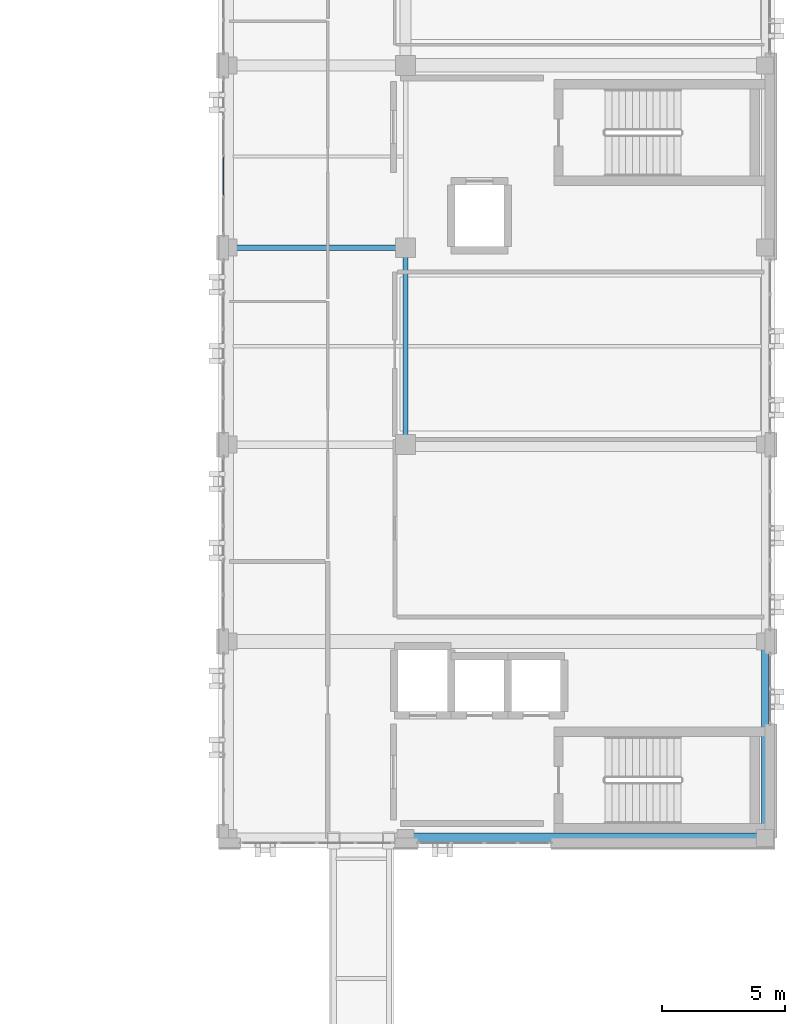
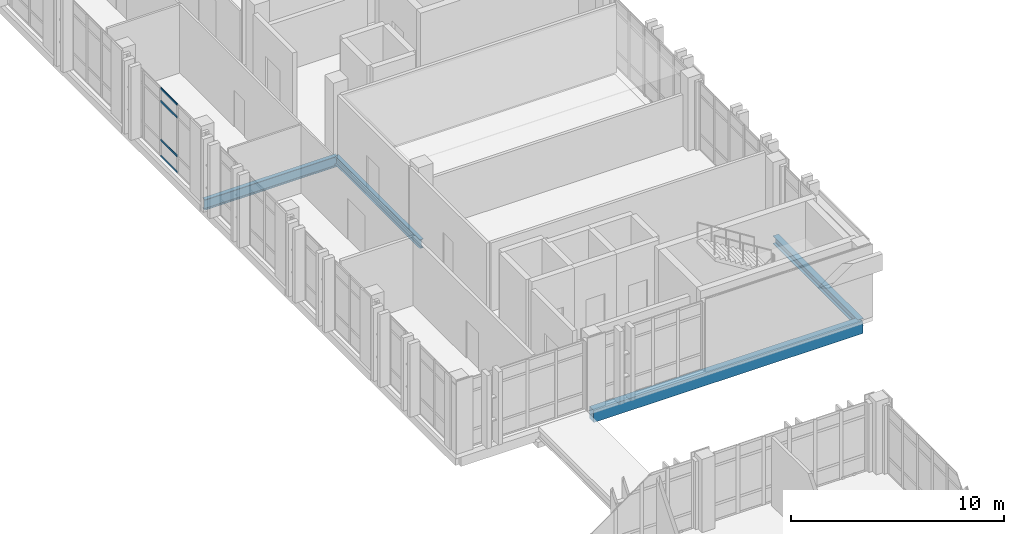
# One storey, part 58 of 158: 4 beams, 4 members, 1 element without a shape of its own.
"""IFC4 building model written with IfcOpenShell, lengths in metres."""

from ifc_helpers import new_model, si_unit, direction, frame, origin, origin_2d, place, context, subcontext, project, spatial, rectangle, hollow_rectangle, i_section, extrude, material, layer, layer_set, material_profile, profile_set, type_object, element, aggregate, save


model = new_model("IFC4")

# Units and contexts
model_context = context("Model", 3, precision=1e-05, world=origin(), true_north=direction((0.0, 1.0)))
body_context = subcontext(model_context, "Body", "Model", "MODEL_VIEW")
ifc_project = project(units=[si_unit("LENGTHUNIT", "METRE"), si_unit("AREAUNIT", "SQUARE_METRE"), si_unit("VOLUMEUNIT", "CUBIC_METRE"), si_unit("PLANEANGLEUNIT", "RADIAN"), si_unit("MASSUNIT", "GRAM", prefix="KILO")], contexts=[model_context])

# Site, building, storey
site_placement = place(None, origin())
site = spatial("IfcSite", under=ifc_project, at=site_placement, CompositionType="ELEMENT")
building_placement = place(site_placement, origin())
building = spatial("IfcBuilding", under=site, at=building_placement, Name="Qalavern Law Courts", CompositionType="ELEMENT")
storey_placement = place(building_placement, frame((0.0, 0.0, 18.60009765625)))
storey = spatial("IfcBuildingStorey", under=building, at=storey_placement, Name="L04", CompositionType="ELEMENT", Elevation=18.60009765625)

# Curtain wall, members
ifc_material_1 = material(Name="Anodised aluminium and insulated glazing", Category="aluminium")
ifc_layer = layer(ifc_material_1, 0.159912109375)
ifc_layer_set = layer_set([ifc_layer], Name="Anodised aluminium and insulated glazing")
curtain_wall_type = type_object("IfcCurtainWallType", Name="ENV-CW-CHAMB", PredefinedType="USERDEFINED", material=ifc_layer_set)
curtain_wall_placement = place(storey_placement, origin())
curtain_wall = element("IfcCurtainWall", 1, at=curtain_wall_placement, inside=storey, type_object=curtain_wall_type, Name="V4 unitised curtain wall L04 west 3", ObjectType="UNITISED CURTAIN WALL", PredefinedType="USERDEFINED")
ifc_material_2 = material(Name="Anodised aluminium", Category="aluminium")
ifc_material_profile_1 = material_profile(ifc_material_2, hollow_rectangle(XDim=0.048095703125, YDim=0.1201171875, WallThickness=0.00390625, at=origin_2d()), Name="ALU TRANSOM 48x120")
ifc_profile_set_1 = profile_set([ifc_material_profile_1], Name="Anodised aluminium")
member_type = type_object("IfcMemberType", Name="ENV-CWT-48x120", PredefinedType="USERDEFINED", material=ifc_profile_set_1)
member_1_placement = place(storey_placement, frame((84.39990234375, 69.075927734375, 0.02392578125), z_axis=(0.0, -1.0, 0.0), x_axis=(1.0, 0.0, 0.0)))
member_1 = element("IfcMember", 2, at=member_1_placement, type_object=member_type, Name="CW-04 transom 3.1", ObjectType="TRANSOM", PredefinedType="USERDEFINED", context=body_context, shape_type="SweptSolid", body=[
    extrude(hollow_rectangle(XDim=0.048095703125, YDim=0.1201171875, WallThickness=0.00390625, at=origin_2d()), origin(), (0.0, 0.0, 1.0), 1.552001953125),
])
member_2_placement = place(storey_placement, frame((84.39990234375, 69.075927734375, 0.949951171875), z_axis=(0.0, -1.0, 0.0), x_axis=(1.0, 0.0, 0.0)))
member_2 = element("IfcMember", 3, at=member_2_placement, type_object=member_type, Name="CW-04 transom 3.2", ObjectType="TRANSOM", PredefinedType="USERDEFINED", context=body_context, shape_type="SweptSolid", body=[
    extrude(hollow_rectangle(XDim=0.048095703125, YDim=0.1201171875, WallThickness=0.00390625, at=origin_2d()), origin(), (0.0, 0.0, 1.0), 1.552001953125),
])
member_3_placement = place(storey_placement, frame((84.39990234375, 69.075927734375, 3.1748046875), z_axis=(0.0, -1.0, 0.0), x_axis=(1.0, 0.0, 0.0)))
member_3 = element("IfcMember", 4, at=member_3_placement, type_object=member_type, Name="CW-04 transom 3.3", ObjectType="TRANSOM", PredefinedType="USERDEFINED", context=body_context, shape_type="SweptSolid", body=[
    extrude(hollow_rectangle(XDim=0.048095703125, YDim=0.1201171875, WallThickness=0.00390625, at=origin_2d()), origin(), (0.0, 0.0, 1.0), 1.552001953125),
])
member_4_placement = place(storey_placement, frame((84.39990234375, 69.075927734375, 3.90087890625), z_axis=(0.0, -1.0, 0.0), x_axis=(1.0, 0.0, 0.0)))
member_4 = element("IfcMember", 5, at=member_4_placement, type_object=member_type, Name="CW-04 transom 3.4", ObjectType="TRANSOM", PredefinedType="USERDEFINED", context=body_context, shape_type="SweptSolid", body=[
    extrude(hollow_rectangle(XDim=0.048095703125, YDim=0.1201171875, WallThickness=0.00390625, at=origin_2d()), origin(), (0.0, 0.0, 1.0), 1.552001953125),
])
aggregate(curtain_wall, [member_1, member_2, member_3, member_4])

# Beams
ifc_material_3 = material(Name="Steel S355", Category="steel")
ifc_material_profile_2 = material_profile(ifc_material_3, i_section(OverallWidth=0.199951171875, OverallDepth=0.5, WebThickness=0.01025390625, FlangeThickness=0.01611328125, FilletRadius=0.02099609375, at=origin_2d()), Name="IPE 500")
ifc_profile_set_2 = profile_set([ifc_material_profile_2], Name="Steel S355")
beam_type_1 = type_object("IfcBeamType", Name="STR-BM-IPE500", PredefinedType="BEAM", material=ifc_profile_set_2)
beam_1_placement = place(storey_placement, frame((91.800048828125, 57.39990234375, -0.530029296875), z_axis=(0.0, 1.0, 0.0), x_axis=(-1.0, 0.0, 0.0)))
element("IfcBeam", 6, at=beam_1_placement, inside=storey, type_object=beam_type_1, Name="V4 Y-beam 2-2 L04", PredefinedType="BEAM", context=body_context, shape_type="SweptSolid", body=[
    extrude(i_section(OverallWidth=0.199951171875, OverallDepth=0.5, WebThickness=0.01025390625, FlangeThickness=0.01611328125, FilletRadius=0.02099609375, at=origin_2d()), origin(), (0.0, 0.0, 1.0), 8.0),
])
ifc_material_profile_3 = material_profile(ifc_material_3, i_section(OverallWidth=0.219970703125, OverallDepth=0.60009765625, WebThickness=0.011962890625, FlangeThickness=0.01904296875, FilletRadius=0.02392578125, at=origin_2d()), Name="IPE 600")
ifc_profile_set_3 = profile_set([ifc_material_profile_3], Name="Steel S355")
beam_type_2 = type_object("IfcBeamType", Name="STR-BM-IPE600", PredefinedType="BEAM", material=ifc_profile_set_3)
beam_2_placement = place(storey_placement, frame((84.60009765625, 65.39990234375, -0.580078125), z_axis=(1.0, 0.0, 0.0), x_axis=(0.0, 1.0, 0.0)))
element("IfcBeam", 7, at=beam_2_placement, inside=storey, type_object=beam_type_2, Name="V4 X-beam 4-1 L04", PredefinedType="BEAM", context=body_context, shape_type="SweptSolid", body=[
    extrude(i_section(OverallWidth=0.219970703125, OverallDepth=0.60009765625, WebThickness=0.011962890625, FlangeThickness=0.01904296875, FilletRadius=0.02392578125, at=origin_2d()), origin(), (0.0, 0.0, 1.0), 7.199951171875),
])
ifc_material_profile_4 = material_profile(ifc_material_3, i_section(OverallWidth=0.300048828125, OverallDepth=0.449951171875, WebThickness=0.013916015625, FlangeThickness=0.02587890625, FilletRadius=0.027099609375, at=origin_2d()), Name="HEB 450")
ifc_profile_set_4 = profile_set([ifc_material_profile_4], Name="Steel S355")
beam_type_3 = type_object("IfcBeamType", Name="STR-SP-HEB450", PredefinedType="SPANDREL", material=ifc_profile_set_4)
beam_3_placement = place(storey_placement, frame((106.39990234375, 41.419921875, -0.505126953125), z_axis=(0.0, 1.0, 0.0), x_axis=(-1.0, 0.0, 0.0)))
element("IfcBeam", 8, at=beam_3_placement, inside=storey, type_object=beam_type_3, Name="V4 Y-beam 3-1 L04", PredefinedType="SPANDREL", context=body_context, shape_type="SweptSolid", body=[
    extrude(i_section(OverallWidth=0.300048828125, OverallDepth=0.449951171875, WebThickness=0.013916015625, FlangeThickness=0.02587890625, FilletRadius=0.027099609375, at=origin_2d()), origin(), (0.0, 0.0, 1.0), 7.97998046875),
])
ifc_material_4 = material(Name="Concrete C40/50", Category="concrete")
ifc_material_profile_5 = material_profile(ifc_material_4, rectangle(XDim=0.39990234375, YDim=0.699951171875, at=origin_2d()), Name="RC 400x700")
ifc_profile_set_5 = profile_set([ifc_material_profile_5], Name="Concrete C40/50")
beam_type_4 = type_object("IfcBeamType", Name="STR-SP-RC400x700", PredefinedType="SPANDREL", material=ifc_profile_set_5)
beam_4_placement = place(storey_placement, frame((91.800048828125, 41.419921875, -0.630126953125), z_axis=(1.0, 0.0, 0.0), x_axis=(0.0, 1.0, 0.0)))
element("IfcBeam", 9, at=beam_4_placement, inside=storey, type_object=beam_type_4, Name="V4 X-beam 1-2 L04", PredefinedType="SPANDREL", context=body_context, shape_type="SweptSolid", body=[
    extrude(rectangle(XDim=0.39990234375, YDim=0.699951171875, at=origin_2d()), origin(), (0.0, 0.0, 1.0), 14.599853515625),
])

save(model, "model.ifc")
